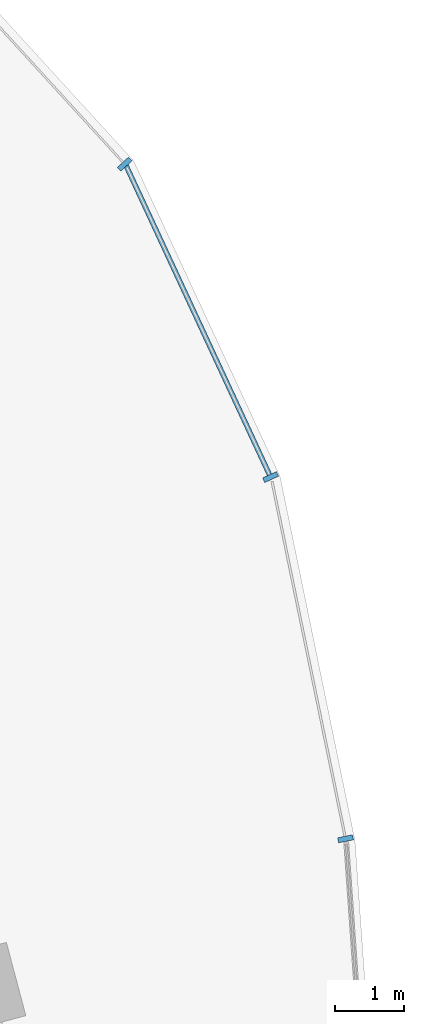
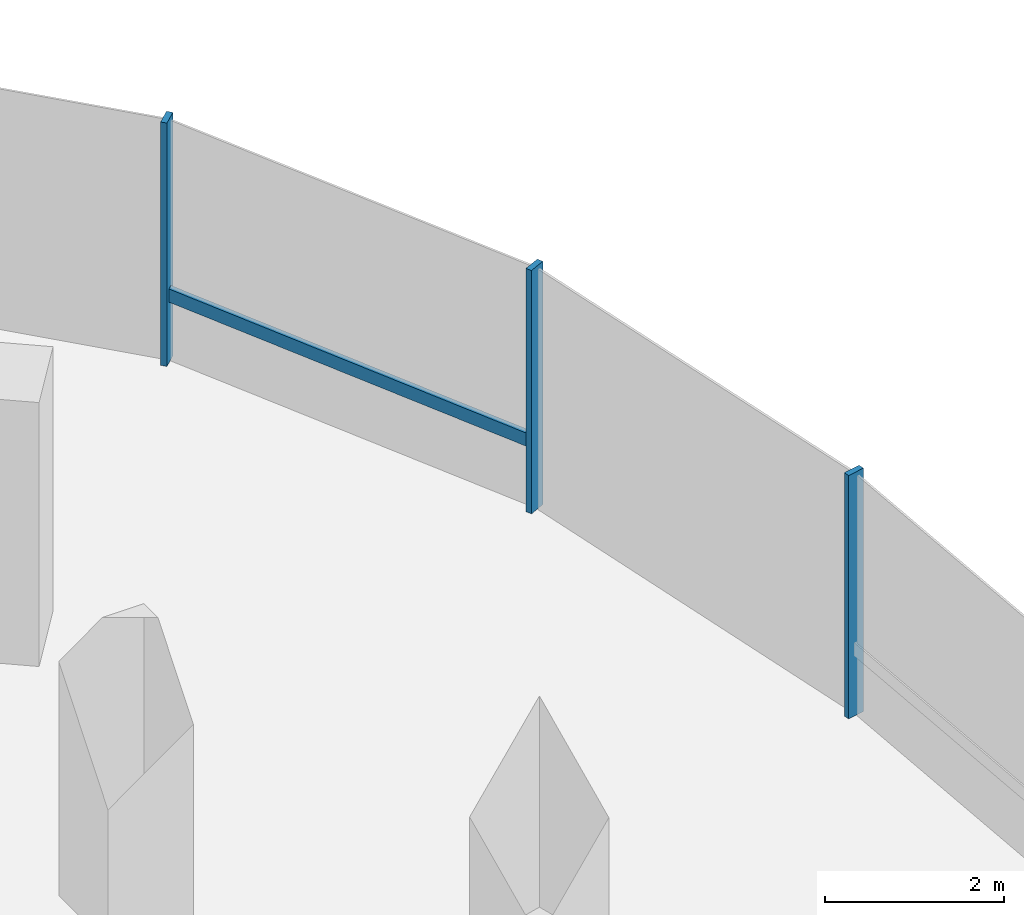
# One storey, part 8 of 20: 4 members, 1 element without a shape of its own.
"""IFC4 building model written with IfcOpenShell, lengths in metres."""

from ifc_helpers import new_model, si_unit, direction, frame, origin, origin_2d, place, context, subcontext, project, spatial, rectangle, extrude, material, material_profile, profile_set, type_object, element, aggregate, save


model = new_model("IFC4")

# Units and contexts
model_context = context("Model", 3, precision=1e-05, world=origin(), true_north=direction((0.0, 1.0)))
body_context = subcontext(model_context, "Body", "Model", "MODEL_VIEW")
ifc_project = project(units=[si_unit("LENGTHUNIT", "METRE"), si_unit("AREAUNIT", "SQUARE_METRE"), si_unit("VOLUMEUNIT", "CUBIC_METRE"), si_unit("PLANEANGLEUNIT", "RADIAN"), si_unit("MASSUNIT", "GRAM", prefix="KILO"), si_unit("THERMODYNAMICTEMPERATUREUNIT", "KELVIN"), si_unit("POWERUNIT", "WATT")], contexts=[model_context])

# Site, building, storey
site_placement = place(None, origin())
site = spatial("IfcSite", under=ifc_project, at=site_placement, CompositionType="ELEMENT")
building_placement = place(site_placement, origin())
building = spatial("IfcBuilding", under=site, at=building_placement, Name="Cundina Bronze Exchange", CompositionType="ELEMENT")
storey_placement = place(building_placement, frame((0.0, 0.0, 128.60009765625)))
storey = spatial("IfcBuildingStorey", under=building, at=storey_placement, Name="L33", CompositionType="ELEMENT", Elevation=128.60009765625)

# Curtain wall, members
ifc_material = material(Name="Anodised Bronze Aluminium 6063-T6", Category="aluminium")
curtain_wall_type = type_object("IfcCurtainWallType", Name="CWS-TRD-MID", PredefinedType="NOTDEFINED", material=ifc_material)
curtain_wall_placement = place(storey_placement, origin())
curtain_wall = element("IfcCurtainWall", 1, at=curtain_wall_placement, inside=storey, type_object=curtain_wall_type, Name="L33 CW-03 Curtain Wall Run CWR-L33-E1", PredefinedType="NOTDEFINED")
ifc_material_profile_1 = material_profile(ifc_material, rectangle(XDim=0.074951171875, YDim=0.219970703125, at=origin_2d()), Name="AL75X220", Category="aluminium")
ifc_profile_set_1 = profile_set([ifc_material_profile_1], Name="Anodised Bronze Aluminium 6063-T6")
member_type_1 = type_object("IfcMemberType", Name="CWM-MUL-220", PredefinedType="MULLION", material=ifc_profile_set_1)
member_1_placement = place(storey_placement, frame((50.717041015625, 8.67822265625, 0.0), z_axis=(0.0, 0.0, 1.0), x_axis=(-0.201419845156, 0.979505000486, 0.0)))
member_1 = element("IfcMember", 2, at=member_1_placement, type_object=member_type_1, Name="CW-03 Mullion 2", PredefinedType="MULLION", context=body_context, shape_type="SweptSolid", body=[
    extrude(rectangle(XDim=0.074951171875, YDim=0.219970703125, at=origin_2d()), origin(), (0.0, 0.0, 1.0), 3.31982421875),
])
member_2_placement = place(storey_placement, frame((49.6279296875, 13.931884765625, 0.0), z_axis=(0.0, 0.0, 1.0), x_axis=(-0.42087749791, 0.907117485088, 0.0)))
member_2 = element("IfcMember", 3, at=member_2_placement, type_object=member_type_1, Name="CW-03 Mullion 3", PredefinedType="MULLION", context=body_context, shape_type="SweptSolid", body=[
    extrude(rectangle(XDim=0.074951171875, YDim=0.219970703125, at=origin_2d()), origin(), (0.0, 0.0, 1.0), 3.31982421875),
])
member_3_placement = place(storey_placement, frame((47.508544921875, 18.47705078125, 0.0), z_axis=(0.0, 0.0, 1.0), x_axis=(-0.674302387584, 0.738455340626, 0.0)))
member_3 = element("IfcMember", 4, at=member_3_placement, type_object=member_type_1, Name="CW-03 Mullion 4", PredefinedType="MULLION", context=body_context, shape_type="SweptSolid", body=[
    extrude(rectangle(XDim=0.074951171875, YDim=0.219970703125, at=origin_2d()), origin(), (0.0, 0.0, 1.0), 3.31982421875),
])
ifc_material_profile_2 = material_profile(ifc_material, rectangle(XDim=0.070068359375, YDim=0.179931640625, at=origin_2d()), Name="AL70X180", Category="aluminium")
ifc_profile_set_2 = profile_set([ifc_material_profile_2], Name="Anodised Bronze Aluminium 6063-T6")
member_type_2 = type_object("IfcMemberType", Name="CWM-TRN-180", PredefinedType="USERDEFINED", material=ifc_profile_set_2)
member_4_placement = place(storey_placement, frame((49.610595703125, 13.96923828125, 0.919921875), z_axis=(-0.420811422796, 0.907148139195, 0.0), x_axis=(-0.907148139195, -0.420811422796, 0.0)))
member_4 = element("IfcMember", 5, at=member_4_placement, type_object=member_type_2, Name="CW-03 Spandrel Transom 3", ObjectType="TRANSOM", PredefinedType="USERDEFINED", context=body_context, shape_type="SweptSolid", body=[
    extrude(rectangle(XDim=0.070068359375, YDim=0.179931640625, at=origin_2d()), origin(), (0.0, 0.0, 1.0), 4.95166015625),
])
aggregate(curtain_wall, [member_1, member_2, member_4, member_3])

save(model, "model.ifc")
